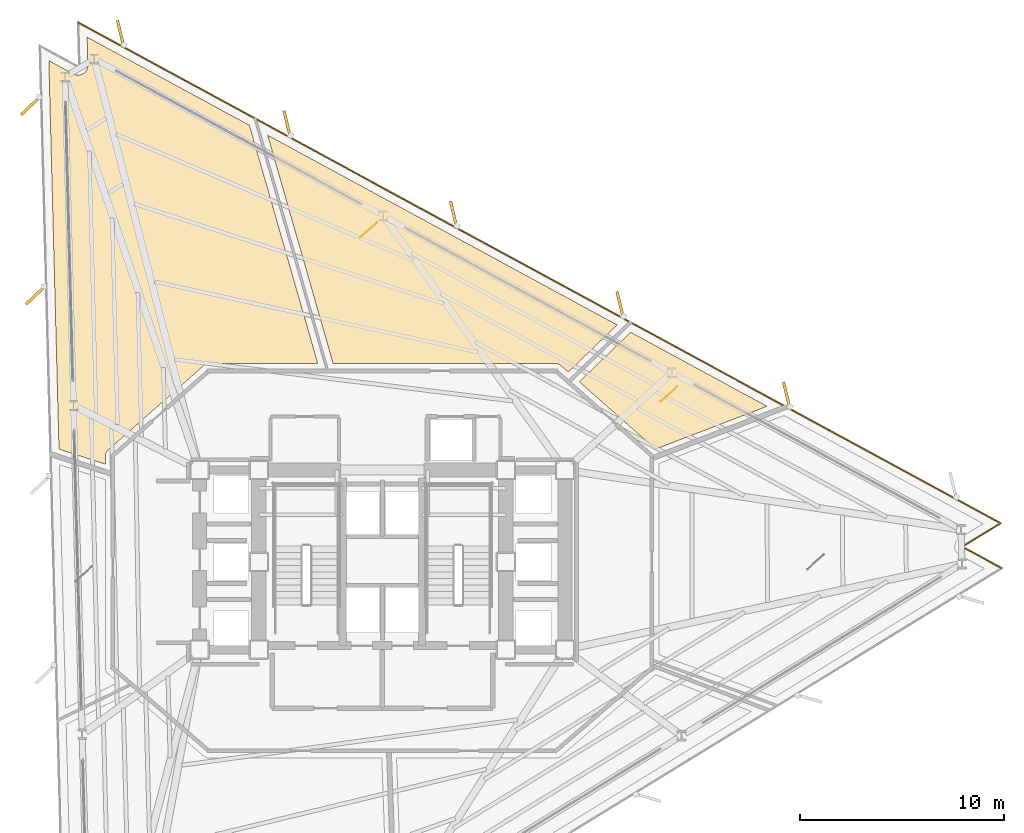
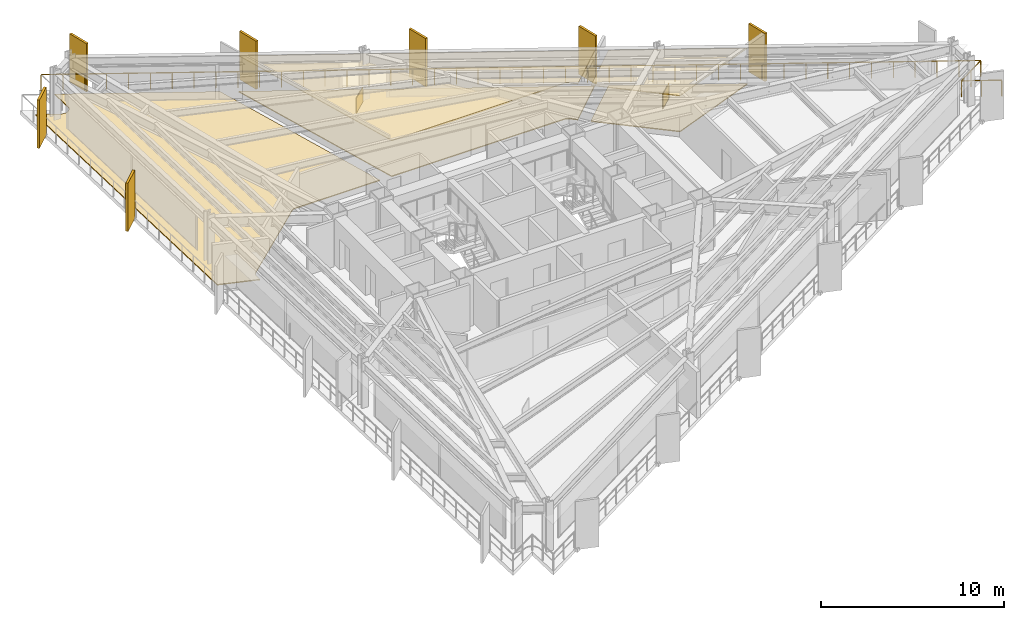
# One storey, part 14 of 14: 7 coverings, 7 shading devices, 1 railing.
"""IFC4 building model written with IfcOpenShell, lengths in metres."""

from ifc_helpers import new_model, si_unit, direction, frame, origin, origin_2d, place, context, subcontext, project, spatial, polyline, rectangle, outline, extrude, material, layer, layer_set, type_object, element, save


model = new_model("IFC4")

# Units and contexts
model_context = context("Model", 3, precision=1e-05, world=origin(), true_north=direction((0.0, 1.0)))
body_context = subcontext(model_context, "Body", "Model", "MODEL_VIEW")
ifc_project = project(units=[si_unit("LENGTHUNIT", "METRE"), si_unit("AREAUNIT", "SQUARE_METRE"), si_unit("VOLUMEUNIT", "CUBIC_METRE"), si_unit("PLANEANGLEUNIT", "RADIAN"), si_unit("MASSUNIT", "GRAM", prefix="KILO")], contexts=[model_context])

# Site, building, storey
site_placement = place(None, origin())
site = spatial("IfcSite", under=ifc_project, at=site_placement, CompositionType="ELEMENT")
building_placement = place(site_placement, origin())
building = spatial("IfcBuilding", under=site, at=building_placement, Name="Rocaltana Carrier Exchange", CompositionType="ELEMENT")
storey_placement = place(building_placement, frame((0.0, 0.0, 22.239990234375)))
storey = spatial("IfcBuildingStorey", under=building, at=storey_placement, Name="L07", CompositionType="ELEMENT", Elevation=22.239990234375)

# Coverings
ifc_material_1 = material(Name="Calcium Sulphate & Aluminium Pedestal", Category="aluminium")
ifc_layer_1 = layer(ifc_material_1, 0.06005859375)
ifc_layer_set_1 = layer_set([ifc_layer_1], Name="Calcium Sulphate & Aluminium Pedestal")
covering_type_1 = type_object("IfcCoveringType", Name="Anti-Static Raised Exchange Access Floor 60", PredefinedType="FLOORING", material=ifc_layer_set_1)
covering_1_placement = place(storey_placement, origin())
element("IfcCovering", 1, at=covering_1_placement, inside=storey, type_object=covering_type_1, Name="L07 Peering Conference Room Finish Floor", PredefinedType="FLOORING", context=body_context, shape_type="SweptSolid", body=[
    extrude(outline(polyline([(13.379638671875, 5.521484375), (9.64794921875, 8.816650390625), (12.16259765625, 11.2451171875), (18.842041015625, 7.618408203125), (13.379638671875, 5.521484375)])), origin(), (0.0, 0.0, 1.0), 0.06005859375),
])
covering_2_placement = place(storey_placement, origin())
element("IfcCovering", 2, at=covering_2_placement, inside=storey, type_object=covering_type_1, Name="L07 Network Operations Office Finish Floor", PredefinedType="FLOORING", context=body_context, shape_type="SweptSolid", body=[
    extrude(outline(polyline([(11.499267578125, 11.605224609375), (9.106689453125, 9.294677734375), (8.73828125, 9.619873046875), (8.727294921875, 9.629150390625), (8.720703125, 9.63427734375), (8.697265625, 9.651123046875), (8.690185546875, 9.655517578125), (8.6650390625, 9.669921875), (8.65771484375, 9.673583984375), (8.631103515625, 9.68505859375), (8.62353515625, 9.68798828125), (8.595947265625, 9.697021484375), (8.587890625, 9.698974609375), (8.5595703125, 9.704833984375), (8.551513671875, 9.706298828125), (8.522705078125, 9.709228515625), (8.514404296875, 9.709716796875), (8.5, 9.7099609375), (-2.409912109375, 9.7099609375), (-5.618408203125, 20.8994140625), (11.499267578125, 11.605224609375)])), origin(), (0.0, 0.0, 1.0), 0.06005859375),
])
covering_3_placement = place(storey_placement, origin())
element("IfcCovering", 3, at=covering_3_placement, inside=storey, type_object=covering_type_1, Name="L07 Quiet Focus Lounge Finish Floor", PredefinedType="FLOORING", context=body_context, shape_type="SweptSolid", body=[
    extrude(outline(polyline([(-16.333984375, 24.54931640625), (-15.131103515625, 23.896484375), (-15.118896484375, 23.889892578125), (-15.100830078125, 23.88134765625), (-15.0751953125, 23.87060546875), (-15.056396484375, 23.86376953125), (-15.02978515625, 23.855712890625), (-15.01025390625, 23.8505859375), (-14.98291015625, 23.84521484375), (-14.96337890625, 23.84228515625), (-14.935546875, 23.839599609375), (-14.91552734375, 23.83837890625), (-14.8876953125, 23.838623046875), (-14.86767578125, 23.839599609375), (-14.840087890625, 23.84228515625), (-14.8203125, 23.845458984375), (-14.79296875, 23.85107421875), (-14.773681640625, 23.85595703125), (-14.746826171875, 23.8642578125), (-14.728271484375, 23.87109375), (-14.702392578125, 23.8818359375), (-14.6845703125, 23.890625), (-14.659912109375, 23.90380859375), (-14.64306640625, 23.914306640625), (-14.6201171875, 23.93017578125), (-14.60400390625, 23.942138671875), (-14.582763671875, 23.960205078125), (-14.568115234375, 23.9736328125), (-14.548583984375, 23.99365234375), (-14.535400390625, 24.0087890625), (-14.51806640625, 24.030517578125), (-14.506591796875, 24.046630859375), (-14.491455078125, 24.0703125), (-14.4814453125, 24.08740234375), (-14.46875, 24.1123046875), (-14.460693359375, 24.130615234375), (-14.450439453125, 24.156494140625), (-14.444091796875, 24.17529296875), (-14.4365234375, 24.202392578125), (-14.43212890625, 24.2216796875), (-14.42724609375, 24.249267578125), (-14.4248046875, 24.26904296875), (-14.4228515625, 24.296875), (-14.42236328125, 24.31689453125), (-14.42236328125, 24.330810546875), (-14.458251953125, 25.698974609375), (-6.50537109375, 21.380859375), (-3.15869140625, 9.7099609375), (-8.5, 9.7099609375), (-8.514404296875, 9.709716796875), (-8.522705078125, 9.709228515625), (-8.551513671875, 9.706298828125), (-8.5595703125, 9.704833984375), (-8.587890625, 9.698974609375), (-8.595947265625, 9.697021484375), (-8.62353515625, 9.68798828125), (-8.631103515625, 9.68505859375), (-8.65771484375, 9.673583984375), (-8.6650390625, 9.669921875), (-8.690185546875, 9.655517578125), (-8.697265625, 9.651123046875), (-8.720703125, 9.63427734375), (-8.727294921875, 9.629150390625), (-8.73828125, 9.619873046875), (-13.438232421875, 5.469970703125), (-13.447998046875, 5.4609375), (-13.453369140625, 5.455810546875), (-13.471435546875, 5.436279296875), (-13.476318359375, 5.4306640625), (-13.492431640625, 5.409912109375), (-13.49658203125, 5.40380859375), (-13.5107421875, 5.38134765625), (-13.5146484375, 5.375), (-13.526611328125, 5.351318359375), (-13.529541015625, 5.344482421875), (-13.539306640625, 5.320068359375), (-13.541748046875, 5.31298828125), (-13.549072265625, 5.28759765625), (-13.55078125, 5.2802734375), (-13.555908203125, 5.25439453125), (-13.556884765625, 5.246826171875), (-13.559326171875, 5.220703125), (-13.559814453125, 5.213134765625), (-13.56005859375, 5.199951171875), (-13.56005859375, 4.784423828125), (-15.835693359375, 5.52392578125), (-16.333984375, 24.54931640625)])), origin(), (0.0, 0.0, 1.0), 0.06005859375),
])
ifc_material_2 = material(Name="Mineral Fibre & Powder-Coated Aluminium", Category="aluminium")
ifc_layer_2 = layer(ifc_material_2, 0.044921875)
ifc_layer_set_2 = layer_set([ifc_layer_2], Name="Mineral Fibre & Powder-Coated Aluminium")
covering_type_2 = type_object("IfcCoveringType", Name="Micro-Perforated Acoustic Ceiling 45", PredefinedType="CEILING", material=ifc_layer_set_2)
covering_4_placement = place(storey_placement, frame((0.0, 0.0, 2.403076171875)))
element("IfcCovering", 4, at=covering_4_placement, inside=storey, type_object=covering_type_2, Name="L07 Peering Conference Room Acoustic Ceiling", PredefinedType="CEILING", context=body_context, shape_type="SweptSolid", body=[
    extrude(outline(polyline([(13.379638671875, 5.521484375), (9.64794921875, 8.816650390625), (12.16259765625, 11.2451171875), (18.842041015625, 7.618408203125), (13.379638671875, 5.521484375)])), origin(), (0.0, 0.0, 1.0), 0.044921875),
])
covering_5_placement = place(storey_placement, frame((0.0, 0.0, 2.403076171875)))
element("IfcCovering", 5, at=covering_5_placement, inside=storey, type_object=covering_type_2, Name="L07 Network Operations Office Acoustic Ceiling", PredefinedType="CEILING", context=body_context, shape_type="SweptSolid", body=[
    extrude(outline(polyline([(11.499267578125, 11.605224609375), (9.106689453125, 9.294677734375), (8.73828125, 9.619873046875), (8.727294921875, 9.629150390625), (8.720703125, 9.63427734375), (8.697265625, 9.651123046875), (8.690185546875, 9.655517578125), (8.6650390625, 9.669921875), (8.65771484375, 9.673583984375), (8.631103515625, 9.68505859375), (8.62353515625, 9.68798828125), (8.595947265625, 9.697021484375), (8.587890625, 9.698974609375), (8.5595703125, 9.704833984375), (8.551513671875, 9.706298828125), (8.522705078125, 9.709228515625), (8.514404296875, 9.709716796875), (8.5, 9.7099609375), (-2.409912109375, 9.7099609375), (-5.618408203125, 20.8994140625), (11.499267578125, 11.605224609375)])), origin(), (0.0, 0.0, 1.0), 0.044921875),
])
ifc_material_3 = material(Name="Honed Piedra Muneca Sandstone", Category="masonry")
ifc_layer_3 = layer(ifc_material_3, 0.034912109375)
ifc_layer_set_3 = layer_set([ifc_layer_3], Name="Honed Piedra Muneca Sandstone")
covering_type_3 = type_object("IfcCoveringType", Name="Stone Facade Cladding 35", PredefinedType="CLADDING", material=ifc_layer_set_3)
for number, where, z_axis, x_axis, name in (
    (6, (14.03271484375, 8.217529296875, 0.0), (0.0, 0.0, 1.0), (0.743144825477, 0.669130606359, 0.0), "L07 Stone Facade Cladding Panel 5"),
    (7, (-0.672607421875, 16.252197265625, 0.0), (0.0, 0.0, 1.0), (0.743144825477, 0.669130606359, 0.0), "L07 Stone Facade Cladding Panel 6"),
):
    element("IfcCovering", number, at=place(storey_placement, frame(where, z_axis=z_axis, x_axis=x_axis)), inside=storey, type_object=covering_type_3, Name=name, PredefinedType="CLADDING", context=body_context, shape_type="SweptSolid", body=[
        extrude(rectangle(XDim=1.10009765625, YDim=0.034912109375, at=origin_2d()), origin(), (0.0, 0.0, 1.0), 1.050048828125),
    ])

# Shading devices
ifc_material_4 = material(Name="Honed Bogota Sandstone & Concrete C45/55", Category="masonry")
ifc_layer_4 = layer(ifc_material_4, 0.139892578125)
ifc_layer_set_4 = layer_set([ifc_layer_4], Name="Honed Bogota Sandstone & Concrete C45/55")
shading_device_type = type_object("IfcShadingDeviceType", Name="Vertical Sandstone Shading Fin 1320x140", PredefinedType="USERDEFINED", material=ifc_layer_set_4)
for number, where, z_axis, x_axis, name in (
    (8, (19.802001953125, 8.16748046875, -0.1201171875), (0.0, 0.0, 1.0), (-0.233445363856, 0.972369920398, 0.0), "L07 Sandstone Vertical Fin F1-02"),
    (9, (11.646484375, 12.595703125, -0.1201171875), (0.0, 0.0, 1.0), (-0.233445363856, 0.972369920398, 0.0), "L07 Sandstone Vertical Fin F1-03"),
    (10, (3.4912109375, 17.023681640625, -0.1201171875), (0.0, 0.0, 1.0), (-0.233445363856, 0.972369920398, 0.0), "L07 Sandstone Vertical Fin F1-04"),
    (11, (-4.664306640625, 21.45166015625, -0.1201171875), (0.0, 0.0, 1.0), (-0.233445363856, 0.972369920398, 0.0), "L07 Sandstone Vertical Fin F1-05"),
    (12, (-12.819580078125, 25.879638671875, -0.1201171875), (0.0, 0.0, 1.0), (-0.233445363856, 0.972369920398, 0.0), "L07 Sandstone Vertical Fin F1-06"),
    (13, (-17.21728515625, 22.342041015625, -0.1201171875), (0.0, 0.0, 1.0), (-0.725374371012, -0.688354575694, 0.0), "L07 Sandstone Vertical Fin F2-01"),
    (14, (-16.974365234375, 13.065185546875, -0.1201171875), (0.0, 0.0, 1.0), (-0.725374371012, -0.688354575694, 0.0), "L07 Sandstone Vertical Fin F2-02"),
):
    element("IfcShadingDevice", number, at=place(storey_placement, frame(where, z_axis=z_axis, x_axis=x_axis)), inside=storey, type_object=shading_device_type, Name=name, ObjectType="FIN", PredefinedType="USERDEFINED", context=body_context, shape_type="SweptSolid", body=[
        extrude(rectangle(XDim=1.320068359375, YDim=0.139892578125, at=origin_2d()), origin(), (0.0, 0.0, 1.0), 3.218017578125),
    ])

# Railing
ifc_material_5 = material(Name="Powder-Coated Aluminium 6063-T6", Category="aluminium")
ifc_layer_5 = layer(ifc_material_5, 0.06005859375)
ifc_layer_set_5 = layer_set([ifc_layer_5], Name="Powder-Coated Aluminium 6063-T6")
railing_type = type_object("IfcRailingType", Name="Wind-Floor & Terrace Perimeter Guardrail 1100", PredefinedType="GUARDRAIL", material=ifc_layer_set_5)
railing_placement = place(storey_placement, frame((-14.897216796875, 26.415283203125, 0.0)))
element("IfcRailing", 15, at=railing_placement, inside=storey, type_object=railing_type, Name="L07 Perimeter Balcony Guardrail 3", PredefinedType="GUARDRAIL", context=body_context, shape_type="SweptSolid", body=[
    extrude(rectangle(XDim=0.048095703125, YDim=0.048095703125, at=origin_2d()), frame((0.0, 0.0, 1.076171875), z_axis=(0.878817120119, -0.477158746526, 0.0), x_axis=(0.477158746526, 0.878817120119, 0.0)), (0.0, 0.0, 1.0), 51.39208984375),
    extrude(rectangle(XDim=0.048095703125, YDim=0.048095703125, at=origin_2d()), frame((45.164306640625, -24.522216796875, 1.076171875), z_axis=(-0.852598062579, -0.522567262356, 0.0), x_axis=(0.522567262356, -0.852598062579, 0.0)), (0.0, 0.0, 1.0), 2.199951171875),
    extrude(rectangle(XDim=0.048095703125, YDim=0.048095703125, at=origin_2d()), frame((43.28857421875, -25.671875, 1.076171875), z_axis=(0.878801578058, -0.477187370331, 0.0), x_axis=(0.477187370331, 0.878801578058, 0.0)), (0.0, 0.0, 1.0), 2.199951171875),
    extrude(rectangle(XDim=0.0419921875, YDim=0.0419921875, at=origin_2d()), origin(), (0.0, 0.0, 1.0), 1.052001953125),
    extrude(rectangle(XDim=0.0419921875, YDim=0.0419921875, at=origin_2d()), frame((1.05029296875, -0.5703125, 0.0)), (0.0, 0.0, 1.0), 1.052001953125),
    extrude(rectangle(XDim=0.0419921875, YDim=0.0419921875, at=origin_2d()), frame((2.1005859375, -1.140625, 0.0)), (0.0, 0.0, 1.0), 1.052001953125),
    extrude(rectangle(XDim=0.0419921875, YDim=0.0419921875, at=origin_2d()), frame((3.15087890625, -1.7109375, 0.0)), (0.0, 0.0, 1.0), 1.052001953125),
    extrude(rectangle(XDim=0.0419921875, YDim=0.0419921875, at=origin_2d()), frame((4.201416015625, -2.28125, 0.0)), (0.0, 0.0, 1.0), 1.052001953125),
    extrude(rectangle(XDim=0.0419921875, YDim=0.0419921875, at=origin_2d()), frame((5.251708984375, -2.851318359375, 0.0)), (0.0, 0.0, 1.0), 1.052001953125),
    extrude(rectangle(XDim=0.0419921875, YDim=0.0419921875, at=origin_2d()), frame((6.302001953125, -3.421630859375, 0.0)), (0.0, 0.0, 1.0), 1.052001953125),
    extrude(rectangle(XDim=0.0419921875, YDim=0.0419921875, at=origin_2d()), frame((7.352294921875, -3.991943359375, 0.0)), (0.0, 0.0, 1.0), 1.052001953125),
    extrude(rectangle(XDim=0.0419921875, YDim=0.0419921875, at=origin_2d()), frame((8.402587890625, -4.562255859375, 0.0)), (0.0, 0.0, 1.0), 1.052001953125),
    extrude(rectangle(XDim=0.0419921875, YDim=0.0419921875, at=origin_2d()), frame((9.452880859375, -5.132568359375, 0.0)), (0.0, 0.0, 1.0), 1.052001953125),
    extrude(rectangle(XDim=0.0419921875, YDim=0.0419921875, at=origin_2d()), frame((10.50341796875, -5.702880859375, 0.0)), (0.0, 0.0, 1.0), 1.052001953125),
    extrude(rectangle(XDim=0.0419921875, YDim=0.0419921875, at=origin_2d()), frame((11.5537109375, -6.273193359375, 0.0)), (0.0, 0.0, 1.0), 1.052001953125),
    extrude(rectangle(XDim=0.0419921875, YDim=0.0419921875, at=origin_2d()), frame((12.60400390625, -6.843505859375, 0.0)), (0.0, 0.0, 1.0), 1.052001953125),
    extrude(rectangle(XDim=0.0419921875, YDim=0.0419921875, at=origin_2d()), frame((13.654296875, -7.41357421875, 0.0)), (0.0, 0.0, 1.0), 1.052001953125),
    extrude(rectangle(XDim=0.0419921875, YDim=0.0419921875, at=origin_2d()), frame((14.70458984375, -7.98388671875, 0.0)), (0.0, 0.0, 1.0), 1.052001953125),
    extrude(rectangle(XDim=0.0419921875, YDim=0.0419921875, at=origin_2d()), frame((15.7548828125, -8.55419921875, 0.0)), (0.0, 0.0, 1.0), 1.052001953125),
    extrude(rectangle(XDim=0.0419921875, YDim=0.0419921875, at=origin_2d()), frame((16.805419921875, -9.12451171875, 0.0)), (0.0, 0.0, 1.0), 1.052001953125),
    extrude(rectangle(XDim=0.0419921875, YDim=0.0419921875, at=origin_2d()), frame((17.855712890625, -9.69482421875, 0.0)), (0.0, 0.0, 1.0), 1.052001953125),
    extrude(rectangle(XDim=0.0419921875, YDim=0.0419921875, at=origin_2d()), frame((18.906005859375, -10.26513671875, 0.0)), (0.0, 0.0, 1.0), 1.052001953125),
    extrude(rectangle(XDim=0.0419921875, YDim=0.0419921875, at=origin_2d()), frame((19.956298828125, -10.83544921875, 0.0)), (0.0, 0.0, 1.0), 1.052001953125),
    extrude(rectangle(XDim=0.0419921875, YDim=0.0419921875, at=origin_2d()), frame((21.006591796875, -11.40576171875, 0.0)), (0.0, 0.0, 1.0), 1.052001953125),
    extrude(rectangle(XDim=0.0419921875, YDim=0.0419921875, at=origin_2d()), frame((22.056884765625, -11.97607421875, 0.0)), (0.0, 0.0, 1.0), 1.052001953125),
    extrude(rectangle(XDim=0.0419921875, YDim=0.0419921875, at=origin_2d()), frame((23.107421875, -12.546142578125, 0.0)), (0.0, 0.0, 1.0), 1.052001953125),
    extrude(rectangle(XDim=0.0419921875, YDim=0.0419921875, at=origin_2d()), frame((24.15771484375, -13.116455078125, 0.0)), (0.0, 0.0, 1.0), 1.052001953125),
    extrude(rectangle(XDim=0.0419921875, YDim=0.0419921875, at=origin_2d()), frame((25.2080078125, -13.686767578125, 0.0)), (0.0, 0.0, 1.0), 1.052001953125),
    extrude(rectangle(XDim=0.0419921875, YDim=0.0419921875, at=origin_2d()), frame((26.25830078125, -14.257080078125, 0.0)), (0.0, 0.0, 1.0), 1.052001953125),
    extrude(rectangle(XDim=0.0419921875, YDim=0.0419921875, at=origin_2d()), frame((27.30859375, -14.827392578125, 0.0)), (0.0, 0.0, 1.0), 1.052001953125),
    extrude(rectangle(XDim=0.0419921875, YDim=0.0419921875, at=origin_2d()), frame((28.35888671875, -15.397705078125, 0.0)), (0.0, 0.0, 1.0), 1.052001953125),
    extrude(rectangle(XDim=0.0419921875, YDim=0.0419921875, at=origin_2d()), frame((29.409423828125, -15.968017578125, 0.0)), (0.0, 0.0, 1.0), 1.052001953125),
    extrude(rectangle(XDim=0.0419921875, YDim=0.0419921875, at=origin_2d()), frame((30.459716796875, -16.538330078125, 0.0)), (0.0, 0.0, 1.0), 1.052001953125),
    extrude(rectangle(XDim=0.0419921875, YDim=0.0419921875, at=origin_2d()), frame((31.510009765625, -17.108642578125, 0.0)), (0.0, 0.0, 1.0), 1.052001953125),
    extrude(rectangle(XDim=0.0419921875, YDim=0.0419921875, at=origin_2d()), frame((32.560302734375, -17.6787109375, 0.0)), (0.0, 0.0, 1.0), 1.052001953125),
    extrude(rectangle(XDim=0.0419921875, YDim=0.0419921875, at=origin_2d()), frame((33.610595703125, -18.2490234375, 0.0)), (0.0, 0.0, 1.0), 1.052001953125),
    extrude(rectangle(XDim=0.0419921875, YDim=0.0419921875, at=origin_2d()), frame((34.660888671875, -18.8193359375, 0.0)), (0.0, 0.0, 1.0), 1.052001953125),
    extrude(rectangle(XDim=0.0419921875, YDim=0.0419921875, at=origin_2d()), frame((35.71142578125, -19.3896484375, 0.0)), (0.0, 0.0, 1.0), 1.052001953125),
    extrude(rectangle(XDim=0.0419921875, YDim=0.0419921875, at=origin_2d()), frame((36.76171875, -19.9599609375, 0.0)), (0.0, 0.0, 1.0), 1.052001953125),
    extrude(rectangle(XDim=0.0419921875, YDim=0.0419921875, at=origin_2d()), frame((37.81201171875, -20.5302734375, 0.0)), (0.0, 0.0, 1.0), 1.052001953125),
    extrude(rectangle(XDim=0.0419921875, YDim=0.0419921875, at=origin_2d()), frame((38.8623046875, -21.1005859375, 0.0)), (0.0, 0.0, 1.0), 1.052001953125),
    extrude(rectangle(XDim=0.0419921875, YDim=0.0419921875, at=origin_2d()), frame((39.91259765625, -21.6708984375, 0.0)), (0.0, 0.0, 1.0), 1.052001953125),
    extrude(rectangle(XDim=0.0419921875, YDim=0.0419921875, at=origin_2d()), frame((40.962890625, -22.240966796875, 0.0)), (0.0, 0.0, 1.0), 1.052001953125),
    extrude(rectangle(XDim=0.0419921875, YDim=0.0419921875, at=origin_2d()), frame((42.013427734375, -22.811279296875, 0.0)), (0.0, 0.0, 1.0), 1.052001953125),
    extrude(rectangle(XDim=0.0419921875, YDim=0.0419921875, at=origin_2d()), frame((43.063720703125, -23.381591796875, 0.0)), (0.0, 0.0, 1.0), 1.052001953125),
    extrude(rectangle(XDim=0.0419921875, YDim=0.0419921875, at=origin_2d()), frame((44.114013671875, -23.951904296875, 0.0)), (0.0, 0.0, 1.0), 1.052001953125),
    extrude(rectangle(XDim=0.0419921875, YDim=0.0419921875, at=origin_2d()), frame((45.164306640625, -24.522216796875, 0.0)), (0.0, 0.0, 1.0), 1.052001953125),
    extrude(rectangle(XDim=0.0419921875, YDim=0.0419921875, at=origin_2d()), frame((44.2265625, -25.09716796875, 0.0)), (0.0, 0.0, 1.0), 1.052001953125),
    extrude(rectangle(XDim=0.0419921875, YDim=0.0419921875, at=origin_2d()), frame((43.28857421875, -25.671875, 0.0)), (0.0, 0.0, 1.0), 1.052001953125),
    extrude(rectangle(XDim=0.0419921875, YDim=0.0419921875, at=origin_2d()), frame((44.25537109375, -26.19677734375, 0.0)), (0.0, 0.0, 1.0), 1.052001953125),
    extrude(rectangle(XDim=0.0419921875, YDim=0.0419921875, at=origin_2d()), frame((45.221923828125, -26.7216796875, 0.0)), (0.0, 0.0, 1.0), 1.052001953125),
])

save(model, "model.ifc")
